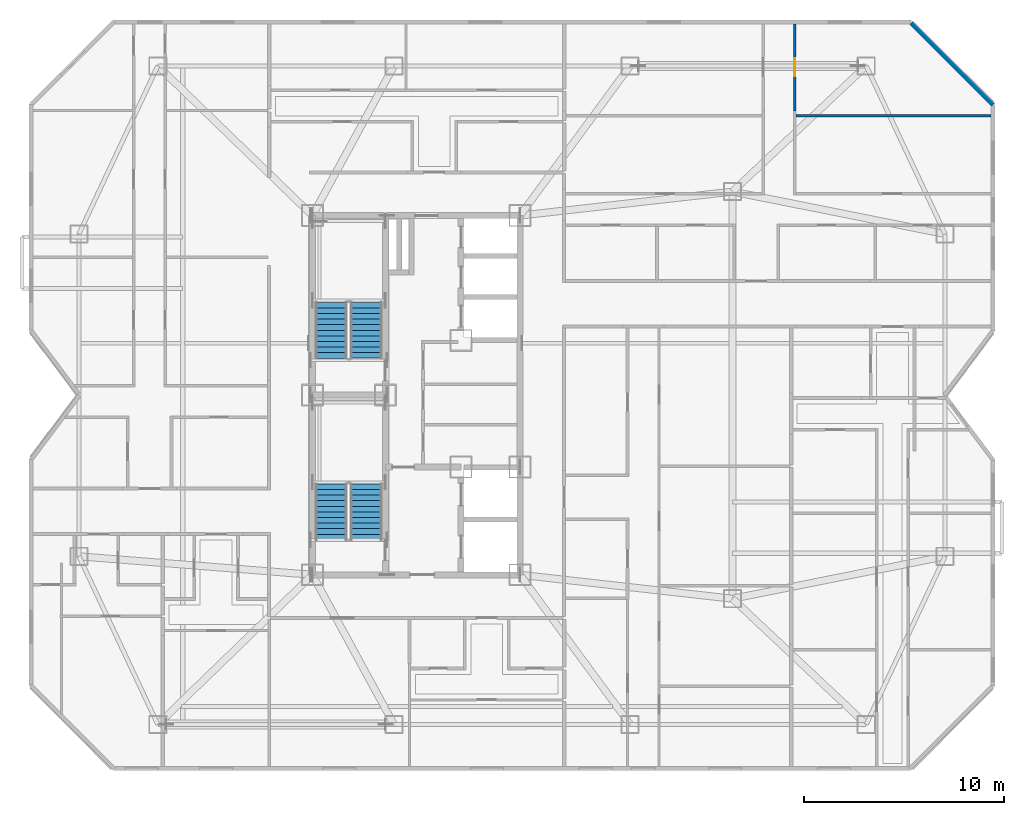
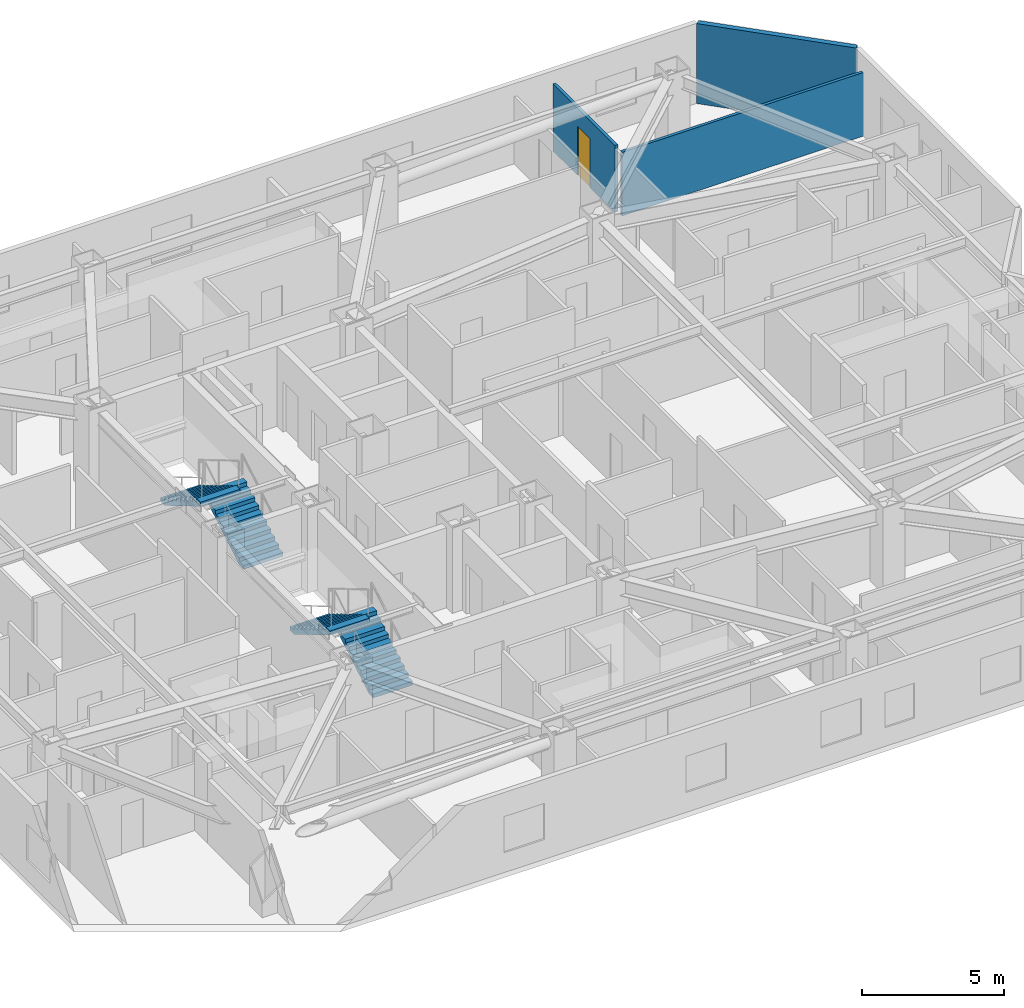
# One storey, part 11 of 13: 4 stair flights, 3 walls, 1 door, 1 opening, 2 elements without a shape of their own.
"""IFC4 building model written with IfcOpenShell, lengths in metres."""

from ifc_helpers import new_model, si_unit, direction, frame, frame_2d, origin, place, context, subcontext, project, spatial, polyline, rectangle, outline, extrude, material, layer, layer_set, type_object, element, fill, aggregate, save


model = new_model("IFC4")

# Units and contexts
model_context = context("Model", 3, precision=1e-05, world=origin(), true_north=direction((0.0, 1.0)))
body_context = subcontext(model_context, "Body", "Model", "MODEL_VIEW")
ifc_project = project(units=[si_unit("LENGTHUNIT", "METRE"), si_unit("AREAUNIT", "SQUARE_METRE"), si_unit("VOLUMEUNIT", "CUBIC_METRE"), si_unit("PLANEANGLEUNIT", "RADIAN"), si_unit("MASSUNIT", "GRAM", prefix="KILO")], contexts=[model_context])

# Site, building, storey
site_placement = place(None, origin())
site = spatial("IfcSite", under=ifc_project, at=site_placement, CompositionType="ELEMENT")
building_placement = place(site_placement, origin())
building = spatial("IfcBuilding", under=site, at=building_placement, Name="Khamvora Tower", CompositionType="ELEMENT")
storey_placement = place(building_placement, frame((0.0, 0.0, 166.85009765625)))
storey = spatial("IfcBuildingStorey", under=building, at=storey_placement, Name="L42", CompositionType="ELEMENT", Elevation=166.85009765625)

# Wall
ifc_material_1 = material(Name="Precast concrete C40/50", Category="concrete")
ifc_layer_1 = layer(ifc_material_1, 0.199951171875)
ifc_layer_set_1 = layer_set([ifc_layer_1], Name="Precast concrete C40/50")
wall_type_1 = type_object("IfcWallType", Name="WAL-EXT-200", PredefinedType="STANDARD", material=ifc_layer_set_1)
wall_1_placement = place(storey_placement, frame((59.0029296875, 46.656005859375, 0.0), z_axis=(0.0, 0.0, 1.0), x_axis=(0.707127848917, -0.707085712828, 0.0)))
element("IfcWall", 1, at=wall_1_placement, inside=storey, type_object=wall_type_1, Name="L42 exterior facade wall 08.1", PredefinedType="STANDARD", context=body_context, shape_type="SweptSolid", body=[
    extrude(rectangle(XDim=5.794189453125, YDim=0.199951171875, at=frame_2d((2.89697265625, 0.0))), origin(), (0.0, 0.0, 1.0), 3.429931640625),
])

# Wall, opening, door
ifc_material_2 = material(Name="Gypsum Plasterboard Partition", Category="gypsum")
ifc_layer_2 = layer(ifc_material_2, 0.1201171875)
ifc_layer_set_2 = layer_set([ifc_layer_2], Name="Gypsum Plasterboard Partition")
wall_type_2 = type_object("IfcWallType", Name="WAL-PART-120", PredefinedType="PARTITIONING", material=ifc_layer_set_2)
wall_2_placement = place(storey_placement, frame((53.169921875, 46.60791015625, 0.0), z_axis=(0.0, 0.0, 1.0), x_axis=(0.0, -1.0, 0.0)))
wall_2 = element("IfcWall", 2, at=wall_2_placement, inside=storey, type_object=wall_type_2, Name="L42 interior partition wall 155", PredefinedType="PARTITIONING", context=body_context, shape_type="SweptSolid", body=[
    extrude(rectangle(XDim=4.35986328125, YDim=0.1201171875, at=frame_2d((2.179931640625, 0.0))), origin(), (0.0, 0.0, 1.0), 2.8759765625),
])
opening_placement = place(wall_2_placement, frame((1.72998046875, 0.0, 0.0)))
opening = element("IfcOpeningElement", 3, at=opening_placement, cuts=wall_2, Name="Opening D-RM1", PredefinedType="OPENING", context=body_context, shape_type="SweptSolid", body=[
    extrude(rectangle(XDim=0.89990234375, YDim=2.10009765625, at=frame_2d((0.449951171875, 1.050048828125))), frame((0.0, 0.070068359375, 0.0), z_axis=(0.0, -1.0, 0.0), x_axis=(1.0, 0.0, 0.0)), (0.0, 0.0, 1.0), 0.14013671875),
])
ifc_material_3 = material(Name="Powder-Coated Steel and Hardwood Leaf", Category="steel")
door_type = type_object("IfcDoorType", Name="DOR-ROOM-900", OperationType="NOTDEFINED", PredefinedType="DOOR", material=ifc_material_3)
door_placement = place(opening_placement, origin())
door = element("IfcDoor", 4, at=door_placement, inside=storey, type_object=door_type, Name="L42 interior door 42ECH-42ECR4", OperationType="SINGLE_SWING_LEFT", OverallHeight=2.10009765625, OverallWidth=0.89990234375, PredefinedType="DOOR", context=body_context, shape_type="SweptSolid", body=[
    extrude(rectangle(XDim=0.89990234375, YDim=2.10009765625, at=frame_2d((0.449951171875, 1.050048828125))), frame((0.0, 0.02490234375, 0.0), z_axis=(0.0, -1.0, 0.0), x_axis=(1.0, 0.0, 0.0)), (0.0, 0.0, 1.0), 0.050048828125),
])
fill(opening, door)

# Wall
wall_3_placement = place(storey_placement, frame((53.22412109375, 41.9990234375, 0.0), z_axis=(0.0, 0.0, 1.0), x_axis=(1.0, 0.0, 0.0)))
element("IfcWall", 5, at=wall_3_placement, inside=storey, type_object=wall_type_2, Name="L42 interior partition wall 157", PredefinedType="PARTITIONING", context=body_context, shape_type="SweptSolid", body=[
    extrude(rectangle(XDim=9.783935546875, YDim=0.1201171875, at=frame_2d((4.89208984375, 0.0))), origin(), (0.0, 0.0, 1.0), 2.724853515625),
])

# Stair, stair flights
ifc_material_4 = material(Name="Concrete C40/50", Category="concrete")
stair_type_1 = type_object("IfcStairType", Name="STR-ST-01", PredefinedType="HALF_TURN_STAIR", material=ifc_material_4)
stair_1_placement = place(storey_placement, origin())
stair_1 = element("IfcStair", 6, at=stair_1_placement, inside=storey, type_object=stair_type_1, Name="L42 South Tower Exit Stair ST-01", PredefinedType="HALF_TURN_STAIR")
stair_flight_type_1 = type_object("IfcStairFlightType", Name="STF-ST-01", PredefinedType="STRAIGHT", material=ifc_material_4)
stair_flight_1_placement = place(storey_placement, frame((31.699951171875, 20.75, 0.0), z_axis=(0.0, 0.0, 1.0), x_axis=(0.0, 1.0, 0.0)))
stair_flight_1 = element("IfcStairFlight", 7, at=stair_flight_1_placement, type_object=stair_flight_type_1, Name="ST-01 flight 1", NumberOfRisers=11, NumberOfTreads=10, PredefinedType="STRAIGHT", RiserHeight=0.165909091, TreadLength=0.28, context=body_context, shape_type="SweptSolid", body=[
    extrude(outline(polyline([(0.0, 0.0), (0.0, 0.166015625), (0.280029296875, 0.166015625), (0.280029296875, 0.331787109375), (0.56005859375, 0.331787109375), (0.56005859375, 0.497802734375), (0.840087890625, 0.497802734375), (0.840087890625, 0.66357421875), (1.1201171875, 0.66357421875), (1.1201171875, 0.82958984375), (1.39990234375, 0.82958984375), (1.39990234375, 0.995361328125), (1.679931640625, 0.995361328125), (1.679931640625, 1.161376953125), (1.9599609375, 1.161376953125), (1.9599609375, 1.327392578125), (2.239990234375, 1.327392578125), (2.239990234375, 1.4931640625), (2.52001953125, 1.4931640625), (2.52001953125, 1.6591796875), (2.800048828125, 1.6591796875), (2.800048828125, 1.824951171875), (2.800048828125, 1.48486328125), (0.2939453125, 0.0), (0.0, 0.0)])), frame((0.0, 0.800048828125, 0.0), z_axis=(0.0, -1.0, 0.0), x_axis=(1.0, 0.0, 0.0)), (0.0, 0.0, 1.0), 1.60009765625),
])
stair_flight_2_placement = place(storey_placement, frame((29.949951171875, 23.550048828125, 1.824951171875), z_axis=(0.0, 0.0, 1.0), x_axis=(0.0, -1.0, 0.0)))
stair_flight_2 = element("IfcStairFlight", 8, at=stair_flight_2_placement, type_object=stair_flight_type_1, Name="ST-01 flight 2", NumberOfRisers=11, NumberOfTreads=10, PredefinedType="STRAIGHT", RiserHeight=0.165909091, TreadLength=0.28, context=body_context, shape_type="SweptSolid", body=[
    extrude(outline(polyline([(0.0, 0.0), (0.0, 0.166015625), (0.280029296875, 0.166015625), (0.280029296875, 0.331787109375), (0.56005859375, 0.331787109375), (0.56005859375, 0.497802734375), (0.840087890625, 0.497802734375), (0.840087890625, 0.66357421875), (1.1201171875, 0.66357421875), (1.1201171875, 0.82958984375), (1.39990234375, 0.82958984375), (1.39990234375, 0.995361328125), (1.679931640625, 0.995361328125), (1.679931640625, 1.161376953125), (1.9599609375, 1.161376953125), (1.9599609375, 1.327392578125), (2.239990234375, 1.327392578125), (2.239990234375, 1.4931640625), (2.52001953125, 1.4931640625), (2.52001953125, 1.6591796875), (2.800048828125, 1.6591796875), (2.800048828125, 1.824951171875), (2.800048828125, 1.48486328125), (0.2939453125, 0.0), (0.0, 0.0)])), frame((0.0, 0.800048828125, 0.0), z_axis=(0.0, -1.0, 0.0), x_axis=(1.0, 0.0, 0.0)), (0.0, 0.0, 1.0), 1.60009765625),
])
aggregate(stair_1, [stair_flight_1, stair_flight_2])

stair_type_2 = type_object("IfcStairType", Name="STR-ST-02", PredefinedType="HALF_TURN_STAIR", material=ifc_material_4)
stair_2_placement = place(storey_placement, origin())
stair_2 = element("IfcStair", 9, at=stair_2_placement, inside=storey, type_object=stair_type_2, Name="L42 North Tower Exit Stair ST-02", PredefinedType="HALF_TURN_STAIR")
stair_flight_type_2 = type_object("IfcStairFlightType", Name="STF-ST-02", PredefinedType="STRAIGHT", material=ifc_material_4)
stair_flight_3_placement = place(storey_placement, frame((31.699951171875, 29.85009765625, 0.0), z_axis=(0.0, 0.0, 1.0), x_axis=(0.0, 1.0, 0.0)))
stair_flight_3 = element("IfcStairFlight", 10, at=stair_flight_3_placement, type_object=stair_flight_type_2, Name="ST-02 flight 1", NumberOfRisers=11, NumberOfTreads=10, PredefinedType="STRAIGHT", RiserHeight=0.165909091, TreadLength=0.28, context=body_context, shape_type="SweptSolid", body=[
    extrude(outline(polyline([(0.0, 0.0), (0.0, 0.166015625), (0.280029296875, 0.166015625), (0.280029296875, 0.331787109375), (0.56005859375, 0.331787109375), (0.56005859375, 0.497802734375), (0.840087890625, 0.497802734375), (0.840087890625, 0.66357421875), (1.1201171875, 0.66357421875), (1.1201171875, 0.82958984375), (1.39990234375, 0.82958984375), (1.39990234375, 0.995361328125), (1.679931640625, 0.995361328125), (1.679931640625, 1.161376953125), (1.9599609375, 1.161376953125), (1.9599609375, 1.327392578125), (2.239990234375, 1.327392578125), (2.239990234375, 1.4931640625), (2.52001953125, 1.4931640625), (2.52001953125, 1.6591796875), (2.800048828125, 1.6591796875), (2.800048828125, 1.824951171875), (2.800048828125, 1.48486328125), (0.2939453125, 0.0), (0.0, 0.0)])), frame((0.0, 0.800048828125, 0.0), z_axis=(0.0, -1.0, 0.0), x_axis=(1.0, 0.0, 0.0)), (0.0, 0.0, 1.0), 1.60009765625),
])
stair_flight_4_placement = place(storey_placement, frame((29.949951171875, 32.64990234375, 1.824951171875), z_axis=(0.0, 0.0, 1.0), x_axis=(0.0, -1.0, 0.0)))
stair_flight_4 = element("IfcStairFlight", 11, at=stair_flight_4_placement, type_object=stair_flight_type_2, Name="ST-02 flight 2", NumberOfRisers=11, NumberOfTreads=10, PredefinedType="STRAIGHT", RiserHeight=0.165909091, TreadLength=0.28, context=body_context, shape_type="SweptSolid", body=[
    extrude(outline(polyline([(0.0, 0.0), (0.0, 0.166015625), (0.280029296875, 0.166015625), (0.280029296875, 0.331787109375), (0.56005859375, 0.331787109375), (0.56005859375, 0.497802734375), (0.840087890625, 0.497802734375), (0.840087890625, 0.66357421875), (1.1201171875, 0.66357421875), (1.1201171875, 0.82958984375), (1.39990234375, 0.82958984375), (1.39990234375, 0.995361328125), (1.679931640625, 0.995361328125), (1.679931640625, 1.161376953125), (1.9599609375, 1.161376953125), (1.9599609375, 1.327392578125), (2.239990234375, 1.327392578125), (2.239990234375, 1.4931640625), (2.52001953125, 1.4931640625), (2.52001953125, 1.6591796875), (2.800048828125, 1.6591796875), (2.800048828125, 1.824951171875), (2.800048828125, 1.48486328125), (0.2939453125, 0.0), (0.0, 0.0)])), frame((0.0, 0.800048828125, 0.0), z_axis=(0.0, -1.0, 0.0), x_axis=(1.0, 0.0, 0.0)), (0.0, 0.0, 1.0), 1.60009765625),
])
aggregate(stair_2, [stair_flight_3, stair_flight_4])

save(model, "model.ifc")
